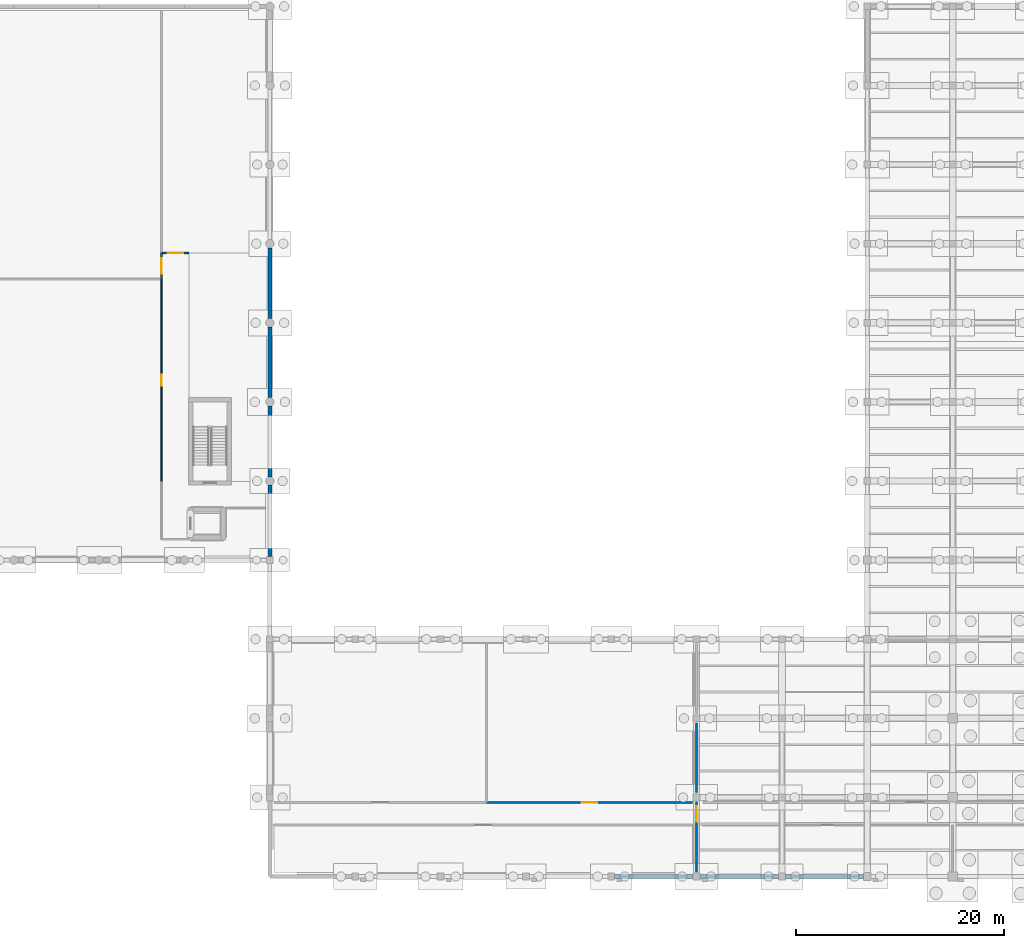
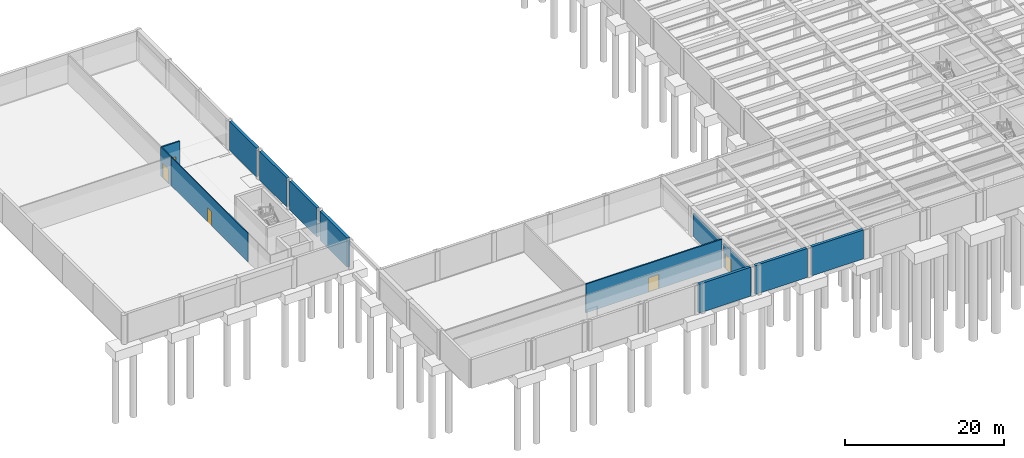
# One storey, part 17 of 29: 13 walls, 5 doors, 5 openings.
"""IFC4 building model written with IfcOpenShell, lengths in metres."""

import ifcopenshell
import ifcopenshell.guid

model = None  # the IFC model being written
_history = None  # IfcOwnerHistory: only IFC2X3 demands one
_inside = {}  # id of a spatial element -> (the spatial element, [elements in it])
_under = {}  # id of a project, library or spatial element -> (it, [spatial elements below it])
_declared = {}  # id of a project -> (the project, [libraries it declares])
_typed = {}  # id of a type object -> (the type object, [elements of that type])
_made_of = {}  # id of a material, layer set ... -> (it, [elements and type objects made of it])


def new_model(schema):
    """Start an empty IFC model of exactly this schema.

    Asked for "IFC4X3", IfcOpenShell would pick the latest addendum, in which some entities
    have other attributes; the version numbers below select the first issue.
    IFC2X3 requires an IfcOwnerHistory on every rooted entity: one is made here for all.
    """
    global model, _history
    if schema == "IFC4X3":
        model = ifcopenshell.file(schema_version=(4, 3, 0, 0))
    else:
        model = ifcopenshell.file(schema=schema)
    _inside.clear()
    _under.clear()
    _declared.clear()
    _typed.clear()
    _made_of.clear()
    _history = None
    if model.schema == "IFC2X3":
        org = make("IfcOrganization", Name="unknown")
        user = make(
            "IfcPersonAndOrganization",
            ThePerson=make("IfcPerson", FamilyName="unknown"),
            TheOrganization=org,
        )
        app = make(
            "IfcApplication",
            ApplicationDeveloper=org,
            Version="unknown",
            ApplicationFullName="unknown",
            ApplicationIdentifier="unknown",
        )
        _history = make(
            "IfcOwnerHistory",
            OwningUser=user,
            OwningApplication=app,
            ChangeAction="ADDED",
            CreationDate=0,
        )
    return model


def make(cls, **values):
    """One entity of the class cls with the attributes given. An attribute that is None is left unset."""
    return model.create_entity(
        cls, **{name: value for name, value in values.items() if value is not None}
    )


def rooted(cls, **values):
    """An entity with a GlobalId (a new one), such as an element, a storey or a relation."""
    return make(cls, GlobalId=ifcopenshell.guid.new(), OwnerHistory=_history, **values)


def si_unit(unit_type, name, prefix=None):
    """IfcSIUnit, for example si_unit("LENGTHUNIT", "METRE", prefix="MILLI")."""
    return make("IfcSIUnit", UnitType=unit_type, Prefix=prefix, Name=name)


def assignment(units):
    """IfcUnitAssignment: the units of a project."""
    return None if units is None else make("IfcUnitAssignment", Units=units)


def point(xyz):
    """IfcCartesianPoint."""
    return None if xyz is None else make("IfcCartesianPoint", Coordinates=xyz)


def direction(xyz):
    """IfcDirection."""
    return None if xyz is None else make("IfcDirection", DirectionRatios=xyz)


def frame(location, z_axis=None, x_axis=None):
    """IfcAxis2Placement3D, a coordinate frame: its origin and axes. An axis left out is left unset."""
    return make(
        "IfcAxis2Placement3D",
        Location=point(location),
        Axis=direction(z_axis),
        RefDirection=direction(x_axis),
    )


def frame_2d(location, x_axis=None):
    """IfcAxis2Placement2D, a coordinate frame in the plane: its origin and x axis."""
    return make(
        "IfcAxis2Placement2D", Location=point(location), RefDirection=direction(x_axis)
    )


def origin():
    """The frame at (0, 0, 0) with its axes left unset."""
    return frame((0.0, 0.0, 0.0))


def place(relative_to, where):
    """IfcLocalPlacement: puts the frame where relative to a parent placement (None: the world)."""
    return make(
        "IfcLocalPlacement", PlacementRelTo=relative_to, RelativePlacement=where
    )


def context(
    kind, dimensions, precision=None, world=None, true_north=None, identifier=None
):
    """IfcGeometricRepresentationContext, for example the 3D "Model" context."""
    return make(
        "IfcGeometricRepresentationContext",
        ContextIdentifier=identifier,
        ContextType=kind,
        CoordinateSpaceDimension=dimensions,
        Precision=precision,
        WorldCoordinateSystem=world,
        TrueNorth=true_north,
    )


def subcontext(parent, identifier, kind, view, scale=None):
    """IfcGeometricRepresentationSubContext, for example "Body" below "Model"."""
    return make(
        "IfcGeometricRepresentationSubContext",
        ContextIdentifier=identifier,
        ContextType=kind,
        ParentContext=parent,
        TargetScale=scale,
        TargetView=view,
    )


def project(units=None, contexts=None):
    """IfcProject with its units and contexts."""
    return rooted(
        "IfcProject",
        Name="project",
        RepresentationContexts=contexts,
        UnitsInContext=assignment(units),
    )


def spatial(cls, under=None, at=None, **own):
    """A site, building, storey or space (cls), placed at a placement, below another one or the project."""
    s = rooted(cls, ObjectPlacement=at, **own)
    if under is not None:
        _under.setdefault(under.id(), (under, []))[1].append(s)
    return s


def profile(cls, at=None, kind="AREA", **sizes):
    """A parametric profile (cls). Its sizes go by their IFC names, for example OverallWidth=200.0."""
    return make(cls, ProfileType=kind, Position=at, **sizes)


def rectangle(**sizes):
    """IfcRectangleProfileDef."""
    return profile("IfcRectangleProfileDef", **sizes)


def extrude(swept, where, along, depth):
    """IfcExtrudedAreaSolid: the profile swept, set in the frame where, extruded along a direction by depth."""
    return make(
        "IfcExtrudedAreaSolid",
        SweptArea=swept,
        Position=where,
        ExtrudedDirection=direction(along),
        Depth=depth,
    )


def shape(context_of_items, identifier, shape_type, items):
    """IfcShapeRepresentation: the items that make up one representation, for example the "Body"."""
    return make(
        "IfcShapeRepresentation",
        ContextOfItems=context_of_items,
        RepresentationIdentifier=identifier,
        RepresentationType=shape_type,
        Items=items,
    )


def material(Name=None, Category=None):
    """IfcMaterial."""
    return make("IfcMaterial", Name=Name, Category=Category)


def layer(
    of_material, thickness, ventilated=None, Name=None, Category=None, Priority=None
):
    """IfcMaterialLayer: one layer of a wall or slab, of a material (None: an air gap)."""
    return make(
        "IfcMaterialLayer",
        Material=of_material,
        LayerThickness=thickness,
        IsVentilated=ventilated,
        Name=Name,
        Category=Category,
        Priority=Priority,
    )


def layer_set(layers, Name=None):
    """IfcMaterialLayerSet."""
    return make("IfcMaterialLayerSet", MaterialLayers=layers, LayerSetName=Name)


def made_of(thing, what):
    """Note that an element or type object is made of a material, layer set ...; save() writes the relation."""
    if what is not None:
        _made_of.setdefault(what.id(), (what, []))[1].append(thing)
    return thing


def type_object(cls, material=None, **own):
    """A type object (cls), such as IfcWallType, which elements share."""
    return made_of(rooted(cls, **own), material)


def element(
    cls,
    number,
    at=None,
    inside=None,
    cuts=None,
    type_object=None,
    material=None,
    context=None,
    identifier="Body",
    shape_type=None,
    held_by="IfcProductDefinitionShape",
    body=None,
    shapes=None,
    **own,
):
    """One element of the class cls, such as IfcWall. Its Tag is "e" and its number.

    at: its placement. inside: the storey or other place that contains it. cuts: it is an
    opening in that element (IfcRelVoidsElement). A single representation is given by context,
    identifier, shape_type and body (its items); several are given by shapes. held_by: the class
    of the entity that holds the representations. save() writes the other relations.
    """
    e = rooted(cls, Tag="e%d" % number, ObjectPlacement=at, **own)
    if body is not None:
        shapes = [shape(context, identifier, shape_type, body)]
    if shapes is not None:
        e.Representation = make(held_by, Representations=shapes)
    if inside is not None:
        _inside.setdefault(inside.id(), (inside, []))[1].append(e)
    if cuts is not None:
        rooted(
            "IfcRelVoidsElement", RelatingBuildingElement=cuts, RelatedOpeningElement=e
        )
    if type_object is not None:
        _typed.setdefault(type_object.id(), (type_object, []))[1].append(e)
    return made_of(e, material)


def fill(opening, filler):
    """IfcRelFillsElement: the door or window that sits in an opening."""
    return rooted(
        "IfcRelFillsElement",
        RelatingOpeningElement=opening,
        RelatedBuildingElement=filler,
    )


def aggregate(whole, parts):
    """IfcRelAggregates: a whole, such as a stair, and the parts it consists of."""
    return rooted("IfcRelAggregates", RelatingObject=whole, RelatedObjects=parts)


def save(model, path):
    """Write the relations noted so far, then the file.

    IfcRelAggregates (storeys below a building ...), IfcRelContainedInSpatialStructure (elements
    in a storey), IfcRelDefinesByType, IfcRelAssociatesMaterial and IfcRelDeclares: one each for
    every whole, place, type object, material and project.
    """
    for whole, parts in _under.values():
        aggregate(whole, parts)
    for where, things in _inside.values():
        rooted(
            "IfcRelContainedInSpatialStructure",
            RelatedElements=things,
            RelatingStructure=where,
        )
    for kind, things in _typed.values():
        rooted("IfcRelDefinesByType", RelatedObjects=things, RelatingType=kind)
    for what, things in _made_of.values():
        rooted("IfcRelAssociatesMaterial", RelatedObjects=things, RelatingMaterial=what)
    for by, libraries in _declared.values():
        rooted("IfcRelDeclares", RelatingContext=by, RelatedDefinitions=libraries)
    model.write(path)


model = new_model("IFC4")

# Units and contexts
model_context = context("Model", 3, precision=1e-05, world=origin(), true_north=direction((0.0, 1.0)))
body_context = subcontext(model_context, "Body", "Model", "MODEL_VIEW")
ifc_project = project(units=[si_unit("LENGTHUNIT", "METRE"), si_unit("AREAUNIT", "SQUARE_METRE"), si_unit("VOLUMEUNIT", "CUBIC_METRE"), si_unit("PLANEANGLEUNIT", "RADIAN"), si_unit("MASSUNIT", "GRAM", prefix="KILO")], contexts=[model_context])

# Site, building, storey
site_placement = place(None, origin())
site = spatial("IfcSite", under=ifc_project, at=site_placement, CompositionType="ELEMENT")
building_placement = place(site_placement, origin())
building = spatial("IfcBuilding", under=site, at=building_placement, Name="Qandaris Square Conservatory and Botanical Centre", CompositionType="ELEMENT")
storey_placement = place(building_placement, frame((0.0, 0.0, -4.800048828125)))
storey = spatial("IfcBuildingStorey", under=building, at=storey_placement, Name="B1", CompositionType="ELEMENT", Elevation=-4.800048828125)

# Walls
ifc_material_1 = material(Name="Concrete C50/60", Category="concrete")
ifc_layer_1 = layer(ifc_material_1, 0.39990234375)
ifc_layer_set_1 = layer_set([ifc_layer_1], Name="Concrete C50/60")
wall_type_1 = type_object("IfcWallType", Name="Basement Waterproof RC Retaining Wall 400mm", PredefinedType="SOLIDWALL", material=ifc_layer_set_1)
wall_1_placement = place(storey_placement, frame((98.52490234375, 16.60009765625, 0.0), z_axis=(0.0, 0.0, 1.0), x_axis=(1.0, 0.0, 0.0)))
element("IfcWall", 1, at=wall_1_placement, inside=storey, type_object=wall_type_1, Name="Basement Retaining Wall 036", PredefinedType="SOLIDWALL", context=body_context, shape_type="SweptSolid", body=[
    extrude(rectangle(XDim=7.550048828125, YDim=0.39990234375, at=frame_2d((3.77490234375, 0.0))), origin(), (0.0, 0.0, 1.0), 4.4599609375),
])
wall_2_placement = place(storey_placement, frame((106.72509765625, 16.60009765625, 0.0), z_axis=(0.0, 0.0, 1.0), x_axis=(1.0, 0.0, 0.0)))
element("IfcWall", 2, at=wall_2_placement, inside=storey, type_object=wall_type_1, Name="Basement Retaining Wall 037", PredefinedType="SOLIDWALL", context=body_context, shape_type="SweptSolid", body=[
    extrude(rectangle(XDim=7.5, YDim=0.39990234375, at=frame_2d((3.75, 0.0))), origin(), (0.0, 0.0, 1.0), 4.4599609375),
])
wall_3_placement = place(storey_placement, frame((90.324951171875, 16.60009765625, 0.0), z_axis=(0.0, 0.0, 1.0), x_axis=(1.0, 0.0, 0.0)))
element("IfcWall", 3, at=wall_3_placement, inside=storey, type_object=wall_type_1, Name="Basement Retaining Wall 048", PredefinedType="SOLIDWALL", context=body_context, shape_type="SweptSolid", body=[
    extrude(rectangle(XDim=7.550048828125, YDim=0.39990234375, at=frame_2d((3.77490234375, 0.0))), origin(), (0.0, 0.0, 1.0), 4.4599609375),
])
wall_4_placement = place(storey_placement, frame((57.199951171875, 47.324951171875, 0.0), z_axis=(0.0, 0.0, 1.0), x_axis=(0.0, 1.0, 0.0)))
element("IfcWall", 4, at=wall_4_placement, inside=storey, type_object=wall_type_1, Name="Basement Retaining Wall 053", PredefinedType="SOLIDWALL", context=body_context, shape_type="SweptSolid", body=[
    extrude(rectangle(XDim=6.875, YDim=0.39990234375, at=frame_2d((3.4375, 0.0))), origin(), (0.0, 0.0, 1.0), 4.4599609375),
])
wall_5_placement = place(storey_placement, frame((57.199951171875, 55.0, 0.0), z_axis=(0.0, 0.0, 1.0), x_axis=(0.0, 1.0, 0.0)))
element("IfcWall", 5, at=wall_5_placement, inside=storey, type_object=wall_type_1, Name="Basement Retaining Wall 054", PredefinedType="SOLIDWALL", context=body_context, shape_type="SweptSolid", body=[
    extrude(rectangle(XDim=6.800048828125, YDim=0.39990234375, at=frame_2d((3.39990234375, 0.0))), origin(), (0.0, 0.0, 1.0), 4.4599609375),
])
wall_6_placement = place(storey_placement, frame((57.199951171875, 62.60009765625, 0.0), z_axis=(0.0, 0.0, 1.0), x_axis=(0.0, 1.0, 0.0)))
element("IfcWall", 6, at=wall_6_placement, inside=storey, type_object=wall_type_1, Name="Basement Retaining Wall 055", PredefinedType="SOLIDWALL", context=body_context, shape_type="SweptSolid", body=[
    extrude(rectangle(XDim=6.7998046875, YDim=0.39990234375, at=frame_2d((3.39990234375, 0.0))), origin(), (0.0, 0.0, 1.0), 4.4599609375),
])
wall_7_placement = place(storey_placement, frame((57.199951171875, 70.199951171875, 0.0), z_axis=(0.0, 0.0, 1.0), x_axis=(0.0, 1.0, 0.0)))
element("IfcWall", 7, at=wall_7_placement, inside=storey, type_object=wall_type_1, Name="Basement Retaining Wall 056", PredefinedType="SOLIDWALL", context=body_context, shape_type="SweptSolid", body=[
    extrude(rectangle(XDim=6.800048828125, YDim=0.39990234375, at=frame_2d((3.39990234375, 0.0))), origin(), (0.0, 0.0, 1.0), 4.4599609375),
])

# Wall, opening, door
ifc_material_2 = material(Name="Concrete C40/50", Category="concrete")
ifc_layer_2 = layer(ifc_material_2, 0.199951171875)
ifc_layer_set_2 = layer_set([ifc_layer_2], Name="Concrete C40/50")
wall_type_2 = type_object("IfcWallType", Name="Herbarium & Plant Compartment Wall 200mm", PredefinedType="PARTITIONING", material=ifc_layer_set_2)
wall_8_placement = place(storey_placement, frame((98.199951171875, 17.050048828125, 0.0), z_axis=(0.0, 0.0, 1.0), x_axis=(0.0, 1.0, 0.0)))
wall_8 = element("IfcWall", 8, at=wall_8_placement, inside=storey, type_object=wall_type_2, Name="Compartment Wall PW-V2V4-B1-1", PredefinedType="PARTITIONING", context=body_context, shape_type="SweptSolid", body=[
    extrude(rectangle(XDim=6.699951171875, YDim=0.199951171875, at=frame_2d((3.35009765625, 0.0))), origin(), (0.0, 0.0, 1.0), 3.594970703125),
])
opening_1_placement = place(wall_8_placement, frame((4.820068359375, 0.0, 0.0)))
opening_1 = element("IfcOpeningElement", 9, at=opening_1_placement, cuts=wall_8, Name="Opening D-PLT1", PredefinedType="OPENING", context=body_context, shape_type="SweptSolid", body=[
    extrude(rectangle(XDim=1.5, YDim=2.199951171875, at=frame_2d((0.75, 1.10009765625))), frame((0.0, 0.11181640625, 0.0), z_axis=(0.0, -1.0, 0.0), x_axis=(1.0, 0.0, 0.0)), (0.0, 0.0, 1.0), 0.223876953125),
])
ifc_material_3 = material(Name="Steel S355", Category="steel")
door_type_1 = type_object("IfcDoorType", Name="Plant & Riser Double Fire Door 1500x2200", OperationType="DOUBLE_DOOR_SINGLE_SWING", PredefinedType="DOOR", material=ifc_material_3)
door_1_placement = place(opening_1_placement, origin())
door_1 = element("IfcDoor", 10, at=door_1_placement, inside=storey, type_object=door_type_1, Name="DR-0018 Inter-Volume Connecting Door PVD-B1-V2V4", OperationType="DOUBLE_DOOR_SINGLE_SWING", OverallHeight=2.199951171875, OverallWidth=1.5, PredefinedType="DOOR", context=body_context, shape_type="SweptSolid", body=[
    extrude(rectangle(XDim=1.5, YDim=2.199951171875, at=frame_2d((0.75, 1.10009765625))), frame((0.0, 0.02490234375, 0.0), z_axis=(0.0, -1.0, 0.0), x_axis=(1.0, 0.0, 0.0)), (0.0, 0.0, 1.0), 0.050048828125),
])
fill(opening_1, door_1)

# Wall
wall_9_placement = place(storey_placement, frame((98.199951171875, 24.64990234375, 0.0), z_axis=(0.0, 0.0, 1.0), x_axis=(0.0, 1.0, 0.0)))
element("IfcWall", 11, at=wall_9_placement, inside=storey, type_object=wall_type_2, Name="Compartment Wall PW-V2V4-B1-2", PredefinedType="PARTITIONING", context=body_context, shape_type="SweptSolid", body=[
    extrude(rectangle(XDim=6.7001953125, YDim=0.199951171875, at=frame_2d((3.35009765625, 0.0))), origin(), (0.0, 0.0, 1.0), 3.594970703125),
])

# Wall, opening, door
wall_10_placement = place(storey_placement, frame((46.800048828125, 74.0, 0.0), z_axis=(0.0, 0.0, 1.0), x_axis=(0.0, 1.0, 0.0)))
wall_10 = element("IfcWall", 12, at=wall_10_placement, inside=storey, type_object=wall_type_2, Name="Interior Partition IW-B1-0034", PredefinedType="PARTITIONING", context=body_context, shape_type="SweptSolid", body=[
    extrude(rectangle(XDim=2.5, YDim=0.199951171875, at=frame_2d((1.25, 0.0))), origin(), (0.0, 0.0, 1.0), 4.405029296875),
])
opening_2_placement = place(wall_10_placement, frame((0.5, 0.0, 0.0)))
opening_2 = element("IfcOpeningElement", 13, at=opening_2_placement, cuts=wall_10, Name="Opening D-PLT1", PredefinedType="OPENING", context=body_context, shape_type="SweptSolid", body=[
    extrude(rectangle(XDim=1.5, YDim=2.199951171875, at=frame_2d((0.75, 1.10009765625))), frame((0.0, 0.11181640625, 0.0), z_axis=(0.0, -1.0, 0.0), x_axis=(1.0, 0.0, 0.0)), (0.0, 0.0, 1.0), 0.223876953125),
])
door_2_placement = place(opening_2_placement, origin())
door_2 = element("IfcDoor", 14, at=door_2_placement, inside=storey, type_object=door_type_1, Name="DR-0013 Conservatory Irrigation Filtration Plant Door", OperationType="DOUBLE_DOOR_SINGLE_SWING", OverallHeight=2.199951171875, OverallWidth=1.5, PredefinedType="DOOR", context=body_context, shape_type="SweptSolid", body=[
    extrude(rectangle(XDim=1.5, YDim=2.199951171875, at=frame_2d((0.75, 1.10009765625))), frame((0.0, 0.02490234375, 0.0), z_axis=(0.0, -1.0, 0.0), x_axis=(1.0, 0.0, 0.0)), (0.0, 0.0, 1.0), 0.050048828125),
])
fill(opening_2, door_2)

wall_11_placement = place(storey_placement, frame((46.800048828125, 76.5, 0.0), z_axis=(0.0, 0.0, 1.0), x_axis=(1.0, 0.0, 0.0)))
wall_11 = element("IfcWall", 15, at=wall_11_placement, inside=storey, type_object=wall_type_2, Name="Interior Partition IW-B1-0035", PredefinedType="PARTITIONING", context=body_context, shape_type="SweptSolid", body=[
    extrude(rectangle(XDim=2.64990234375, YDim=0.199951171875, at=frame_2d((1.324951171875, 0.0))), origin(), (0.0, 0.0, 1.0), 4.405029296875),
])
opening_3_placement = place(wall_11_placement, frame((0.574951171875, 0.0, 0.0)))
opening_3 = element("IfcOpeningElement", 16, at=opening_3_placement, cuts=wall_11, Name="Opening D-PLT1", PredefinedType="OPENING", context=body_context, shape_type="SweptSolid", body=[
    extrude(rectangle(XDim=1.5, YDim=2.199951171875, at=frame_2d((0.75, 1.10009765625))), frame((0.0, 0.11181640625, 0.0), z_axis=(0.0, -1.0, 0.0), x_axis=(1.0, 0.0, 0.0)), (0.0, 0.0, 1.0), 0.223876953125),
])
door_3_placement = place(opening_3_placement, frame((1.5, 0.0, 0.0), z_axis=(0.0, 0.0, 1.0), x_axis=(-1.0, 0.0, 0.0)))
door_3 = element("IfcDoor", 17, at=door_3_placement, inside=storey, type_object=door_type_1, Name="DR-0014 Conservatory Adiabatic Fogging Plant Door", OperationType="DOUBLE_DOOR_SINGLE_SWING", OverallHeight=2.199951171875, OverallWidth=1.5, PredefinedType="DOOR", context=body_context, shape_type="SweptSolid", body=[
    extrude(rectangle(XDim=1.5, YDim=2.199951171875, at=frame_2d((0.75, 1.10009765625))), frame((0.0, 0.02490234375, 0.0), z_axis=(0.0, -1.0, 0.0), x_axis=(1.0, 0.0, 0.0)), (0.0, 0.0, 1.0), 0.050048828125),
])
fill(opening_3, door_3)

wall_12_placement = place(storey_placement, frame((78.0, 23.699951171875, 0.0), z_axis=(0.0, 0.0, 1.0), x_axis=(1.0, 0.0, 0.0)))
wall_12 = element("IfcWall", 18, at=wall_12_placement, inside=storey, type_object=wall_type_2, Name="Interior Partition IW-B1-0039", PredefinedType="PARTITIONING", context=body_context, shape_type="SweptSolid", body=[
    extrude(rectangle(XDim=19.800048828125, YDim=0.199951171875, at=frame_2d((9.89990234375, 0.0))), origin(), (0.0, 0.0, 1.0), 4.405029296875),
])
opening_4_placement = place(wall_12_placement, frame((9.14990234375, 0.0, 0.0)))
opening_4 = element("IfcOpeningElement", 19, at=opening_4_placement, cuts=wall_12, Name="Opening D-PLT1", PredefinedType="OPENING", context=body_context, shape_type="SweptSolid", body=[
    extrude(rectangle(XDim=1.5, YDim=2.199951171875, at=frame_2d((0.75, 1.10009765625))), frame((0.0, 0.11181640625, 0.0), z_axis=(0.0, -1.0, 0.0), x_axis=(1.0, 0.0, 0.0)), (0.0, 0.0, 1.0), 0.223876953125),
])
door_4_placement = place(opening_4_placement, frame((1.5, 0.0, 0.0), z_axis=(0.0, 0.0, 1.0), x_axis=(-1.0, 0.0, 0.0)))
door_4 = element("IfcDoor", 20, at=door_4_placement, inside=storey, type_object=door_type_1, Name="DR-0016 Acoustic Plenum and Dimmer Rack Room Door", OperationType="DOUBLE_DOOR_SINGLE_SWING", OverallHeight=2.199951171875, OverallWidth=1.5, PredefinedType="DOOR", context=body_context, shape_type="SweptSolid", body=[
    extrude(rectangle(XDim=1.5, YDim=2.199951171875, at=frame_2d((0.75, 1.10009765625))), frame((0.0, 0.02490234375, 0.0), z_axis=(0.0, -1.0, 0.0), x_axis=(1.0, 0.0, 0.0)), (0.0, 0.0, 1.0), 0.050048828125),
])
fill(opening_4, door_4)

ifc_material_4 = material(Name="Gypsum Plasterboard", Category="gypsum")
ifc_layer_3 = layer(ifc_material_4, 0.1201171875)
ifc_layer_set_3 = layer_set([ifc_layer_3], Name="Gypsum Plasterboard")
wall_type_3 = type_object("IfcWallType", Name="Standard Research Partition 120mm", PredefinedType="PARTITIONING", material=ifc_layer_set_3)
wall_13_placement = place(storey_placement, frame((46.800048828125, 54.550048828125, 0.0), z_axis=(0.0, 0.0, 1.0), x_axis=(0.0, 1.0, 0.0)))
wall_13 = element("IfcWall", 21, at=wall_13_placement, inside=storey, type_object=wall_type_3, Name="Interior Partition IW-B1-0031", PredefinedType="PARTITIONING", context=body_context, shape_type="SweptSolid", body=[
    extrude(rectangle(XDim=19.449951171875, YDim=0.1201171875, at=frame_2d((9.72509765625, 0.0))), origin(), (0.0, 0.0, 1.0), 4.405029296875),
])
opening_5_placement = place(wall_13_placement, frame((9.199951171875, 0.0, 0.0)))
opening_5 = element("IfcOpeningElement", 22, at=opening_5_placement, cuts=wall_13, Name="Opening D-LAB2", PredefinedType="OPENING", context=body_context, shape_type="SweptSolid", body=[
    extrude(rectangle(XDim=1.050048828125, YDim=2.199951171875, at=frame_2d((0.52490234375, 1.10009765625))), frame((0.0, 0.072021484375, 0.0), z_axis=(0.0, -1.0, 0.0), x_axis=(1.0, 0.0, 0.0)), (0.0, 0.0, 1.0), 0.14404296875),
])
ifc_material_5 = material(Name="Engineered Oak Timber", Category="wood")
door_type_2 = type_object("IfcDoorType", Name="Analytical Laboratory Single Door 1050x2200", OperationType="NOTDEFINED", PredefinedType="DOOR", material=ifc_material_5)
door_5_placement = place(opening_5_placement, frame((1.050048828125, 0.0, 0.0), z_axis=(0.0, 0.0, 1.0), x_axis=(-1.0, 0.0, 0.0)))
door_5 = element("IfcDoor", 23, at=door_5_placement, inside=storey, type_object=door_type_2, Name="DR-0006 Controlled Environment Root Growth Chamber Door", OperationType="SINGLE_SWING_RIGHT", OverallHeight=2.199951171875, OverallWidth=1.050048828125, PredefinedType="DOOR", context=body_context, shape_type="SweptSolid", body=[
    extrude(rectangle(XDim=1.050048828125, YDim=2.199951171875, at=frame_2d((0.52490234375, 1.10009765625))), frame((0.0, 0.02490234375, 0.0), z_axis=(0.0, -1.0, 0.0), x_axis=(1.0, 0.0, 0.0)), (0.0, 0.0, 1.0), 0.050048828125),
])
fill(opening_5, door_5)

save(model, "model.ifc")
